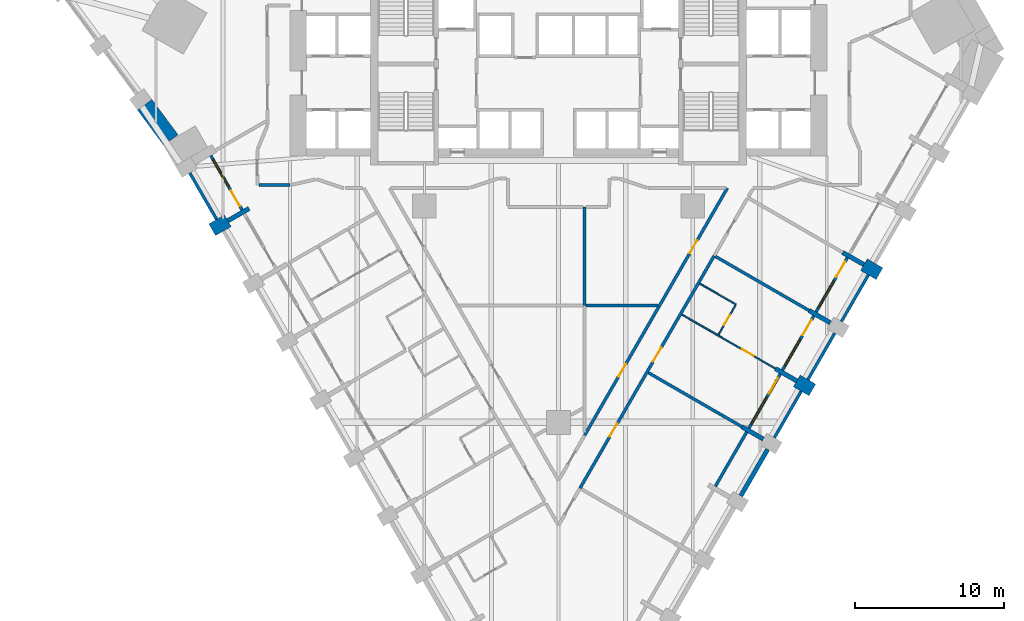
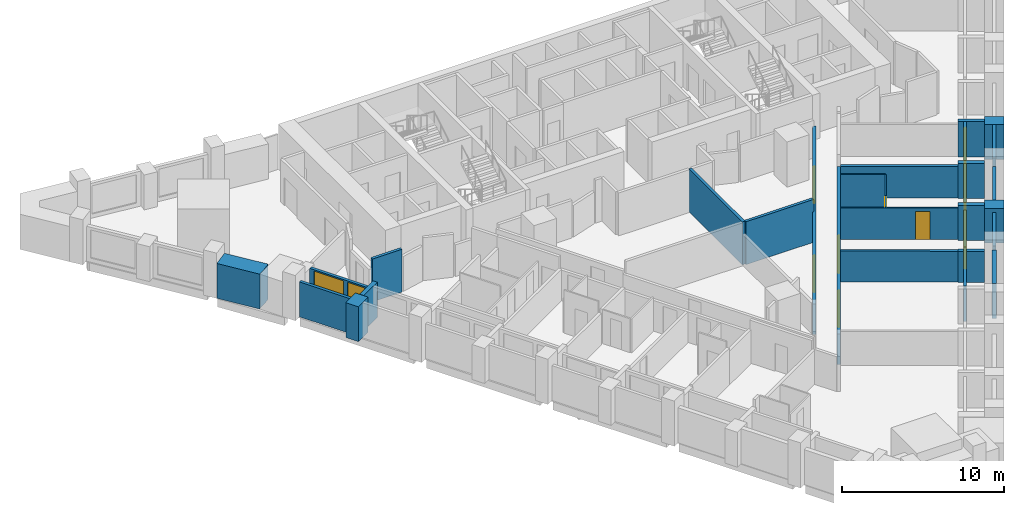
# One storey, part 5 of 11: 29 walls, 10 doors, 4 windows, 14 openings.
"""IFC4 building model written with IfcOpenShell, lengths in metres."""

from ifc_helpers import new_model, si_unit, direction, frame, frame_2d, origin, place, context, subcontext, project, spatial, polyline, rectangle, outline, extrude, material, layer, layer_set, type_object, element, fill, save


model = new_model("IFC4")

# Units and contexts
model_context = context("Model", 3, precision=1e-05, world=origin(), true_north=direction((0.0, 1.0)))
body_context = subcontext(model_context, "Body", "Model", "MODEL_VIEW")
ifc_project = project(units=[si_unit("LENGTHUNIT", "METRE"), si_unit("AREAUNIT", "SQUARE_METRE"), si_unit("VOLUMEUNIT", "CUBIC_METRE"), si_unit("PLANEANGLEUNIT", "RADIAN"), si_unit("MASSUNIT", "GRAM", prefix="KILO")], contexts=[model_context])

# Site, building, storey
site_placement = place(None, origin())
site = spatial("IfcSite", under=ifc_project, at=site_placement, CompositionType="ELEMENT")
building_placement = place(site_placement, origin())
building = spatial("IfcBuilding", under=site, at=building_placement, Name="Calabash Gate Tower", CompositionType="ELEMENT")
storey_placement = place(building_placement, frame((0.0, 0.0, 49.39990234375)))
storey = spatial("IfcBuildingStorey", under=building, at=storey_placement, Name="L07", CompositionType="ELEMENT", Elevation=49.39990234375)

# Walls
ifc_material_1 = material(Name="Terracotta brick masonry, exposed face", Category="masonry")
ifc_layer_1 = layer(ifc_material_1, 1.199951171875)
ifc_layer_set_1 = layer_set([ifc_layer_1], Name="Brick end wall 1200")
wall_type_1 = type_object("IfcWallType", Name="Brick end wall 1200", PredefinedType="SOLIDWALL", material=ifc_layer_set_1)
wall_1_placement = place(storey_placement, frame((-23.2197265625, 0.912353515625, 0.0), z_axis=(0.0, 0.0, 1.0), x_axis=(0.866006032174, 0.500033551112, 0.0)))
element("IfcWall", 1, at=wall_1_placement, inside=storey, type_object=wall_type_1, Name="Brick pier S01 SW0.1", PredefinedType="SOLIDWALL", context=body_context, shape_type="SweptSolid", body=[
    extrude(rectangle(XDim=1.2001953125, YDim=0.89990234375, at=frame_2d((0.60009765625, 0.0))), origin(), (0.0, 0.0, 1.0), 2.630126953125),
])
for number, where, z_axis, x_axis, name in (
    (2, (17.01953125, -9.826171875, 0.0), (0.0, 0.0, 1.0), (-0.866043267704, 0.499969057507, 0.0), "Brick pier S01 SE2.5"),
    (3, (21.51953125, -2.031982421875, 0.0), (0.0, 0.0, 1.0), (-0.866043267704, 0.499969057507, 0.0), "Brick pier S01 SE2.7"),
):
    element("IfcWall", number, at=place(storey_placement, frame(where, z_axis=z_axis, x_axis=x_axis)), inside=storey, type_object=wall_type_1, Name=name, PredefinedType="SOLIDWALL", context=body_context, shape_type="SweptSolid", body=[
        extrude(rectangle(XDim=1.19970703125, YDim=0.89990234375, at=frame_2d((0.599853515625, 0.0))), origin(), (0.0, 0.0, 1.0), 2.630126953125),
    ])
wall_2_placement = place(storey_placement, origin())
element("IfcWall", 4, at=wall_2_placement, inside=storey, type_object=wall_type_1, Name="Brick end wall S01 3", PredefinedType="SOLIDWALL", context=body_context, shape_type="SweptSolid", body=[
    extrude(outline(polyline([(-25.517822265625, 7.285400390625), (-27.267578125, 9.64697265625), (-27.26806640625, 9.646728515625), (-27.26806640625, 9.646484375), (-28.231689453125, 8.9326171875), (-26.50244140625, 6.5986328125), (-26.51953125, 6.628173828125), (-26.0, 6.92822265625), (-25.517822265625, 7.285400390625)])), origin(), (0.0, 0.0, 1.0), 2.630126953125),
])
ifc_material_2 = material(Name="Terracotta brick masonry, exposed face", Category="masonry")
ifc_layer_2 = layer(ifc_material_2, 0.300048828125)
ifc_layer_set_2 = layer_set([ifc_layer_2], Name="Brick infill panel wall 300")
wall_type_2 = type_object("IfcWallType", Name="Brick infill panel wall 300", PredefinedType="SOLIDWALL", material=ifc_layer_set_2)
wall_3_placement = place(storey_placement, frame((12.22509765625, -16.930908203125, 0.0), z_axis=(0.0, 0.0, 1.0), x_axis=(0.499931829785, 0.866064758299, 0.0)))
element("IfcWall", 5, at=wall_3_placement, inside=storey, type_object=wall_type_2, Name="Brick panel S01 SE2.4", PredefinedType="SOLIDWALL", context=body_context, shape_type="SweptSolid", body=[
    extrude(rectangle(XDim=3.60009765625, YDim=0.300048828125, at=frame_2d((1.800048828125, 0.0))), origin(), (0.0, 0.0, 1.0), 2.630126953125),
])
ifc_material_3 = material(Name="Terracotta brick masonry, exposed face", Category="masonry")
ifc_layer_3 = layer(ifc_material_3, 0.300048828125)
ifc_layer_set_3 = layer_set([ifc_layer_3], Name="Brick loggia cheek wall 300")
wall_type_3 = type_object("IfcWallType", Name="Brick loggia cheek wall 300", PredefinedType="SOLIDWALL", material=ifc_layer_set_3)
wall_4_placement = place(storey_placement, frame((-22.180419921875, 1.512451171875, 0.0), z_axis=(0.0, 0.0, 1.0), x_axis=(0.866040211805, 0.499974350878, 0.0)))
element("IfcWall", 6, at=wall_4_placement, inside=storey, type_object=wall_type_3, Name="Loggia cheek S01 SW0.1", PredefinedType="SOLIDWALL", context=body_context, shape_type="SweptSolid", body=[
    extrude(rectangle(XDim=1.64990234375, YDim=0.300048828125, at=frame_2d((0.824951171875, 0.0))), origin(), (0.0, 0.0, 1.0), 2.650146484375),
])
wall_5_placement = place(storey_placement, frame((13.730224609375, -13.123291015625, 0.0), z_axis=(0.0, 0.0, 1.0), x_axis=(-0.866003217194, 0.500038426333, 0.0)))
element("IfcWall", 7, at=wall_5_placement, inside=storey, type_object=wall_type_3, Name="Loggia cheek S01 SE2.4", PredefinedType="SOLIDWALL", context=body_context, shape_type="SweptSolid", body=[
    extrude(rectangle(XDim=1.649658203125, YDim=0.300048828125, at=frame_2d((0.82470703125, 0.0))), origin(), (0.0, 0.0, 1.0), 2.302490234375),
])
wall_6_placement = place(storey_placement, frame((15.98046875, -9.226318359375, 0.0), z_axis=(0.0, 0.0, 1.0), x_axis=(-0.866040211805, 0.499974350878, 0.0)))
element("IfcWall", 8, at=wall_6_placement, inside=storey, type_object=wall_type_3, Name="Loggia cheek S01 SE2.5", PredefinedType="SOLIDWALL", context=body_context, shape_type="SweptSolid", body=[
    extrude(rectangle(XDim=1.64990234375, YDim=0.300048828125, at=frame_2d((0.824951171875, 0.0))), origin(), (0.0, 0.0, 1.0), 2.650146484375),
])
wall_7_placement = place(storey_placement, frame((18.230224609375, -5.3291015625, 0.0), z_axis=(0.0, 0.0, 1.0), x_axis=(-0.866003217194, 0.500038426333, 0.0)))
element("IfcWall", 9, at=wall_7_placement, inside=storey, type_object=wall_type_3, Name="Loggia cheek S01 SE2.6", PredefinedType="SOLIDWALL", context=body_context, shape_type="SweptSolid", body=[
    extrude(rectangle(XDim=1.649658203125, YDim=0.300048828125, at=frame_2d((0.82470703125, 0.0))), origin(), (0.0, 0.0, 1.0), 2.650146484375),
])
wall_8_placement = place(storey_placement, frame((20.48046875, -1.43212890625, 0.0), z_axis=(0.0, 0.0, 1.0), x_axis=(-0.865976140824, 0.500085316245, 0.0)))
element("IfcWall", 10, at=wall_8_placement, inside=storey, type_object=wall_type_3, Name="Loggia cheek S01 SE2.7", PredefinedType="SOLIDWALL", context=body_context, shape_type="SweptSolid", body=[
    extrude(rectangle(XDim=1.650146484375, YDim=0.300048828125, at=frame_2d((0.8251953125, 0.0))), origin(), (0.0, 0.0, 1.0), 2.650146484375),
])

# Wall, opening, door
ifc_material_4 = material(Name="Gypsum board on steel studs, mineral wool", Category="steel")
ifc_layer_4 = layer(ifc_material_4, 0.10009765625)
ifc_layer_set_4 = layer_set([ifc_layer_4], Name="Partition 100 gypsum board")
wall_type_4 = type_object("IfcWallType", Name="Partition 100 gypsum board", PredefinedType="PARTITIONING", material=ifc_layer_set_4)
wall_9_placement = place(storey_placement, frame((10.72216796875, -6.13037109375, 0.0), z_axis=(0.0, 0.0, 1.0), x_axis=(0.500617411337, 0.865668647617, 0.0)))
wall_9 = element("IfcWall", 11, at=wall_9_placement, inside=storey, type_object=wall_type_4, Name="Partition", PredefinedType="PARTITIONING", context=body_context, shape_type="SweptSolid", body=[
    extrude(rectangle(XDim=2.2978515625, YDim=0.10009765625, at=frame_2d((1.14892578125, 0.0))), origin(), (0.0, 0.0, 1.0), 3.22998046875),
])
opening_1_placement = place(wall_9_placement, frame((0.748046875, 0.0, 0.0)))
opening_1 = element("IfcOpeningElement", 12, at=opening_1_placement, cuts=wall_9, Name="Opening 06-08-012", PredefinedType="OPENING", context=body_context, shape_type="SweptSolid", body=[
    extrude(rectangle(XDim=0.800048828125, YDim=2.10009765625, at=frame_2d((0.39990234375, 1.050048828125))), frame((0.0, 0.06005859375, 0.0), z_axis=(0.0, -1.0, 0.0), x_axis=(1.0, 0.0, 0.0)), (0.0, 0.0, 1.0), 0.1201171875),
])
ifc_material_5 = material(Name="Painted timber door", Category="wood")
door_type_1 = type_object("IfcDoorType", Name="GD5 En-suite door 800x2100", OperationType="NOTDEFINED", PredefinedType="DOOR", material=ifc_material_5)
door_1_placement = place(opening_1_placement, origin())
door_1 = element("IfcDoor", 13, at=door_1_placement, inside=storey, type_object=door_type_1, Name="En-suite door", OperationType="SINGLE_SWING_RIGHT", OverallHeight=2.10009765625, OverallWidth=0.800048828125, PredefinedType="DOOR", context=body_context, shape_type="SweptSolid", body=[
    extrude(rectangle(XDim=0.800048828125, YDim=2.10009765625, at=frame_2d((0.39990234375, 1.050048828125))), frame((0.0, 0.02490234375, 0.0), z_axis=(0.0, -1.0, 0.0), x_axis=(1.0, 0.0, 0.0)), (0.0, 0.0, 1.0), 0.050048828125),
])
fill(opening_1, door_1)

wall_10_placement = place(storey_placement, frame((8.27392578125, -4.774658203125, 0.0), z_axis=(0.0, 0.0, 1.0), x_axis=(0.866035857012, -0.499981894041, 0.0)))
wall_10 = element("IfcWall", 14, at=wall_10_placement, inside=storey, type_object=wall_type_4, Name="Partition", PredefinedType="PARTITIONING", context=body_context, shape_type="SweptSolid", body=[
    extrude(rectangle(XDim=7.249755859375, YDim=0.10009765625, at=frame_2d((3.625, 0.0))), origin(), (0.0, 0.0, 1.0), 2.38427734375),
])
opening_2_placement = place(wall_10_placement, frame((4.64990234375, 0.0, 0.0)))
opening_2 = element("IfcOpeningElement", 15, at=opening_2_placement, cuts=wall_10, Name="Opening 06-08-011", PredefinedType="OPENING", context=body_context, shape_type="SweptSolid", body=[
    extrude(rectangle(XDim=0.89990234375, YDim=2.10009765625, at=frame_2d((0.449951171875, 1.050048828125))), frame((0.0, 0.06005859375, 0.0), z_axis=(0.0, -1.0, 0.0), x_axis=(1.0, 0.0, 0.0)), (0.0, 0.0, 1.0), 0.1201171875),
])
ifc_material_6 = material(Name="Painted timber door", Category="wood")
door_type_2 = type_object("IfcDoorType", Name="GD7 Suite room door 900x2100", OperationType="NOTDEFINED", PredefinedType="DOOR", material=ifc_material_6)
door_2_placement = place(opening_2_placement, origin())
door_2 = element("IfcDoor", 16, at=door_2_placement, inside=storey, type_object=door_type_2, Name="Suite room door", OperationType="SINGLE_SWING_RIGHT", OverallHeight=2.10009765625, OverallWidth=0.89990234375, PredefinedType="DOOR", context=body_context, shape_type="SweptSolid", body=[
    extrude(rectangle(XDim=0.89990234375, YDim=2.10009765625, at=frame_2d((0.449951171875, 1.050048828125))), frame((0.0, 0.02490234375, 0.0), z_axis=(0.0, -1.0, 0.0), x_axis=(1.0, 0.0, 0.0)), (0.0, 0.0, 1.0), 0.050048828125),
])
fill(opening_2, door_2)

# Wall
wall_11_placement = place(storey_placement, frame((9.47216796875, -2.69921875, 0.0), z_axis=(0.0, 0.0, 1.0), x_axis=(0.866288634608, -0.499543793424, 0.0)))
element("IfcWall", 17, at=wall_11_placement, inside=storey, type_object=wall_type_4, Name="Partition", PredefinedType="PARTITIONING", context=body_context, shape_type="SweptSolid", body=[
    extrude(rectangle(XDim=2.7998046875, YDim=0.10009765625, at=frame_2d((1.39990234375, 0.0))), origin(), (0.0, 0.0, 1.0), 3.22998046875),
])

# Wall, openings, doors
ifc_material_7 = material(Name="Gypsum board on steel studs, mineral wool", Category="steel")
ifc_layer_5 = layer(ifc_material_7, 0.199951171875)
ifc_layer_set_5 = layer_set([ifc_layer_5], Name="Partition 200 gypsum board EI 60")
wall_type_5 = type_object("IfcWallType", Name="Partition 200 gypsum board EI 60", PredefinedType="PARTITIONING", material=ifc_layer_set_5)
wall_12_placement = place(storey_placement, frame((1.75, -12.8701171875, 0.0), z_axis=(0.0, 0.0, 1.0), x_axis=(0.499999309361, 0.866025802525, 0.0)))
wall_12 = element("IfcWall", 18, at=wall_12_placement, inside=storey, type_object=wall_type_5, Name="Partition", PredefinedType="PARTITIONING", context=body_context, shape_type="SweptSolid", body=[
    extrude(rectangle(XDim=19.13427734375, YDim=0.199951171875, at=frame_2d((9.567138671875, 0.0))), origin(), (0.0, 0.0, 1.0), 2.302490234375),
])
opening_3_placement = place(wall_12_placement, frame((14.097900390625, 0.0, 0.0)))
opening_3 = element("IfcOpeningElement", 19, at=opening_3_placement, cuts=wall_12, Name="Opening 06-08-015", PredefinedType="OPENING", context=body_context, shape_type="SweptSolid", body=[
    extrude(rectangle(XDim=1.0, YDim=2.10009765625, at=frame_2d((0.5, 1.050048828125))), frame((0.0, 0.10986328125, 0.0), z_axis=(0.0, -1.0, 0.0), x_axis=(1.0, 0.0, 0.0)), (0.0, 0.0, 1.0), 0.219970703125),
])
opening_4_placement = place(wall_12_placement, frame((4.530029296875, 0.0, 0.0)))
opening_4 = element("IfcOpeningElement", 20, at=opening_4_placement, cuts=wall_12, Name="Opening 06-08-016", PredefinedType="OPENING", context=body_context, shape_type="SweptSolid", body=[
    extrude(rectangle(XDim=1.0, YDim=2.10009765625, at=frame_2d((0.5, 1.050048828125))), frame((0.0, 0.10986328125, 0.0), z_axis=(0.0, -1.0, 0.0), x_axis=(1.0, 0.0, 0.0)), (0.0, 0.0, 1.0), 0.219970703125),
])
ifc_material_8 = material(Name="Steel fire door set with fire-resisting glazing", Category="steel")
door_type_3 = type_object("IfcDoorType", Name="LD2 Meeting room door 1000x2100", OperationType="NOTDEFINED", PredefinedType="DOOR", material=ifc_material_8)
door_3_placement = place(opening_3_placement, origin())
door_3 = element("IfcDoor", 21, at=door_3_placement, inside=storey, type_object=door_type_3, Name="Meeting room door", OperationType="SINGLE_SWING_RIGHT", OverallHeight=2.10009765625, OverallWidth=1.0, PredefinedType="DOOR", context=body_context, shape_type="SweptSolid", body=[
    extrude(rectangle(XDim=1.0, YDim=2.10009765625, at=frame_2d((0.5, 1.050048828125))), frame((0.0, 0.02490234375, 0.0), z_axis=(0.0, -1.0, 0.0), x_axis=(1.0, 0.0, 0.0)), (0.0, 0.0, 1.0), 0.050048828125),
])
fill(opening_3, door_3)
door_4_placement = place(opening_4_placement, origin())
door_4 = element("IfcDoor", 22, at=door_4_placement, inside=storey, type_object=door_type_3, Name="Meeting room door", OperationType="SINGLE_SWING_LEFT", OverallHeight=2.10009765625, OverallWidth=1.0, PredefinedType="DOOR", context=body_context, shape_type="SweptSolid", body=[
    extrude(rectangle(XDim=1.0, YDim=2.10009765625, at=frame_2d((0.5, 1.050048828125))), frame((0.0, 0.02490234375, 0.0), z_axis=(0.0, -1.0, 0.0), x_axis=(1.0, 0.0, 0.0)), (0.0, 0.0, 1.0), 0.050048828125),
])
fill(opening_4, door_4)

# Walls
wall_13_placement = place(storey_placement, frame((6.02392578125, -8.671875, 0.0), z_axis=(0.0, 0.0, 1.0), x_axis=(0.865914666804, -0.500191753045, 0.0)))
element("IfcWall", 23, at=wall_13_placement, inside=storey, type_object=wall_type_5, Name="Partition", PredefinedType="PARTITIONING", context=body_context, shape_type="SweptSolid", body=[
    extrude(rectangle(XDim=7.249755859375, YDim=0.199951171875, at=frame_2d((3.625, 0.0))), origin(), (0.0, 0.0, 1.0), 2.302490234375),
])
wall_14_placement = place(storey_placement, frame((1.85009765625, -4.156005859375, 0.0), z_axis=(0.0, 0.0, 1.0), x_axis=(0.999999937456, -0.000353678232, 0.0)))
element("IfcWall", 24, at=wall_14_placement, inside=storey, type_object=wall_type_5, Name="Partition", PredefinedType="PARTITIONING", context=body_context, shape_type="SweptSolid", body=[
    extrude(rectangle(XDim=4.83203125, YDim=0.199951171875, at=frame_2d((2.416015625, 0.0))), origin(), (0.0, 0.0, 1.0), 3.22998046875),
])
wall_15_placement = place(storey_placement, frame((10.525390625, -0.87841796875, 0.0), z_axis=(0.0, 0.0, 1.0), x_axis=(0.865907869998, -0.500203519255, 0.0)))
element("IfcWall", 25, at=wall_15_placement, inside=storey, type_object=wall_type_5, Name="Partition", PredefinedType="PARTITIONING", context=body_context, shape_type="SweptSolid", body=[
    extrude(rectangle(XDim=7.248046875, YDim=0.199951171875, at=frame_2d((3.6240234375, 0.0))), origin(), (0.0, 0.0, 1.0), 2.38427734375),
])

# Wall, openings, doors
wall_16_placement = place(storey_placement, frame((1.43798828125, -16.418701171875, 0.0), z_axis=(0.0, 0.0, 1.0), x_axis=(0.499996012009, 0.86602770624, 0.0)))
wall_16 = element("IfcWall", 26, at=wall_16_placement, inside=storey, type_object=wall_type_5, Name="Partition", PredefinedType="PARTITIONING", context=body_context, shape_type="SweptSolid", body=[
    extrude(rectangle(XDim=18.000244140625, YDim=0.199951171875, at=frame_2d((9.0, 0.0))), origin(), (0.0, 0.0, 1.0), 2.302490234375),
])
opening_5_placement = place(wall_16_placement, frame((4.0, 0.0, 0.0)))
opening_5 = element("IfcOpeningElement", 27, at=opening_5_placement, cuts=wall_16, Name="Opening 06-08-009", PredefinedType="OPENING", context=body_context, shape_type="SweptSolid", body=[
    extrude(rectangle(XDim=1.0, YDim=2.10009765625, at=frame_2d((0.5, 1.050048828125))), frame((0.0, 0.10986328125, 0.0), z_axis=(0.0, -1.0, 0.0), x_axis=(1.0, 0.0, 0.0)), (0.0, 0.0, 1.0), 0.219970703125),
])
opening_6_placement = place(wall_16_placement, frame((9.800048828125, 0.0, 0.0)))
opening_6 = element("IfcOpeningElement", 28, at=opening_6_placement, cuts=wall_16, Name="Opening 06-08-010", PredefinedType="OPENING", context=body_context, shape_type="SweptSolid", body=[
    extrude(rectangle(XDim=1.10009765625, YDim=2.10009765625, at=frame_2d((0.550048828125, 1.050048828125))), frame((0.0, 0.10986328125, 0.0), z_axis=(0.0, -1.0, 0.0), x_axis=(1.0, 0.0, 0.0)), (0.0, 0.0, 1.0), 0.219970703125),
])
ifc_material_9 = material(Name="Steel fire door set with fire-resisting glazing", Category="steel")
door_type_4 = type_object("IfcDoorType", Name="GD3 Suite entrance door 1100x2100", OperationType="NOTDEFINED", PredefinedType="DOOR", material=ifc_material_9)
door_5_placement = place(opening_6_placement, origin())
door_5 = element("IfcDoor", 29, at=door_5_placement, inside=storey, type_object=door_type_4, Name="Suite entrance door", OperationType="SINGLE_SWING_RIGHT", OverallHeight=2.10009765625, OverallWidth=1.10009765625, PredefinedType="DOOR", context=body_context, shape_type="SweptSolid", body=[
    extrude(rectangle(XDim=1.10009765625, YDim=2.10009765625, at=frame_2d((0.550048828125, 1.050048828125))), frame((0.0, 0.02490234375, 0.0), z_axis=(0.0, -1.0, 0.0), x_axis=(1.0, 0.0, 0.0)), (0.0, 0.0, 1.0), 0.050048828125),
])
fill(opening_6, door_5)
door_6_placement = place(opening_5_placement, origin())
door_6 = element("IfcDoor", 30, at=door_6_placement, inside=storey, type_object=door_type_3, Name="Meeting room door", OperationType="SINGLE_SWING_RIGHT", OverallHeight=2.10009765625, OverallWidth=1.0, PredefinedType="DOOR", context=body_context, shape_type="SweptSolid", body=[
    extrude(rectangle(XDim=1.0, YDim=2.10009765625, at=frame_2d((0.5, 1.050048828125))), frame((0.0, 0.02490234375, 0.0), z_axis=(0.0, -1.0, 0.0), x_axis=(1.0, 0.0, 0.0)), (0.0, 0.0, 1.0), 0.050048828125),
])
fill(opening_5, door_6)

# Walls
wall_17_placement = place(storey_placement, frame((1.750244140625, -4.15576171875, 0.0), z_axis=(0.0, 0.0, 1.0), x_axis=(0.000258617496, 0.999999966558, 0.0)))
element("IfcWall", 31, at=wall_17_placement, inside=storey, type_object=wall_type_5, Name="Partition", PredefinedType="PARTITIONING", context=body_context, shape_type="SweptSolid", body=[
    extrude(rectangle(XDim=6.608154296875, YDim=0.199951171875, at=frame_2d((3.30419921875, 0.0))), origin(), (0.0, 0.0, 1.0), 3.22998046875),
])
wall_18_placement = place(storey_placement, frame((-20.10009765625, 3.899658203125, 0.0), z_axis=(0.0, 0.0, 1.0), x_axis=(0.999999993243, -0.000116252034, 0.0)))
element("IfcWall", 32, at=wall_18_placement, inside=storey, type_object=wall_type_5, Name="Partition", PredefinedType="PARTITIONING", context=body_context, shape_type="SweptSolid", body=[
    extrude(rectangle(XDim=2.10009765625, YDim=0.199951171875, at=frame_2d((1.050048828125, 0.0))), origin(), (0.0, 0.0, 1.0), 3.22998046875),
])
ifc_material_10 = material(Name="Terracotta brick masonry, perforated", Category="masonry")
ifc_layer_6 = layer(ifc_material_10, 0.199951171875)
ifc_layer_set_6 = layer_set([ifc_layer_6], Name="Terracotta jaali screen A")
wall_type_6 = type_object("IfcWallType", Name="Terracotta jaali screen A", PredefinedType="SOLIDWALL", material=ifc_layer_set_6)
wall_19_placement = place(storey_placement, frame((-24.72509765625, 4.7197265625, 0.0), z_axis=(0.0, 0.0, 1.0), x_axis=(0.500012057535, -0.866018442252, 0.0)))
element("IfcWall", 33, at=wall_19_placement, inside=storey, type_object=wall_type_6, Name="SCREEN A S01 SW0.1", PredefinedType="SOLIDWALL", context=body_context, shape_type="SweptSolid", body=[
    extrude(rectangle(XDim=3.60009765625, YDim=0.199951171875, at=frame_2d((1.800048828125, 0.0))), origin(), (0.0, 0.0, 1.0), 2.630126953125),
])
wall_20_placement = place(storey_placement, frame((14.47509765625, -13.03369140625, 0.0), z_axis=(0.0, 0.0, 1.0), x_axis=(0.499961193289, 0.866047807691, 0.0)))
element("IfcWall", 34, at=wall_20_placement, inside=storey, type_object=wall_type_6, Name="SCREEN A S01 SE2.5", PredefinedType="SOLIDWALL", context=body_context, shape_type="SweptSolid", body=[
    extrude(rectangle(XDim=3.599853515625, YDim=0.199951171875, at=frame_2d((1.7998046875, 0.0))), origin(), (0.0, 0.0, 1.0), 2.302490234375),
])
for number, where, z_axis, x_axis, name in (
    (35, (16.72509765625, -9.136474609375, 0.0), (0.0, 0.0, 1.0), (0.499961193289, 0.866047807691, 0.0), "SCREEN A S01 SE2.6"),
    (36, (18.97509765625, -5.239501953125, 0.0), (0.0, 0.0, 1.0), (0.499961193289, 0.866047807691, 0.0), "SCREEN A S01 SE2.7"),
):
    element("IfcWall", number, at=place(storey_placement, frame(where, z_axis=z_axis, x_axis=x_axis)), inside=storey, type_object=wall_type_6, Name=name, PredefinedType="SOLIDWALL", context=body_context, shape_type="SweptSolid", body=[
        extrude(rectangle(XDim=3.599853515625, YDim=0.199951171875, at=frame_2d((1.7998046875, 0.0))), origin(), (0.0, 0.0, 1.0), 2.630126953125),
    ])

# Wall, openings, door, window
ifc_material_11 = material(Name="Aluminium framed window wall with insulated spandrel", Category="aluminium")
ifc_layer_7 = layer(ifc_material_11, 0.199951171875)
ifc_layer_set_7 = layer_set([ifc_layer_7], Name="Window wall 200")
wall_type_7 = type_object("IfcWallType", Name="Window wall 200", PredefinedType="ELEMENTEDWALL", material=ifc_layer_set_7)
wall_21_placement = place(storey_placement, frame((-23.316162109375, 5.879638671875, 0.0), z_axis=(0.0, 0.0, 1.0), x_axis=(0.500027713859, -0.866009402589, 0.0)))
wall_21 = element("IfcWall", 37, at=wall_21_placement, inside=storey, type_object=wall_type_7, Name="Window wall S01 SW0.1", PredefinedType="ELEMENTEDWALL", context=body_context, shape_type="SweptSolid", body=[
    extrude(rectangle(XDim=4.199951171875, YDim=0.199951171875, at=frame_2d((2.10009765625, 0.0))), origin(), (0.0, 0.0, 1.0), 2.4501953125),
])
opening_7_placement = place(wall_21_placement, frame((0.300048828125, 0.0, 0.60009765625)))
opening_7 = element("IfcOpeningElement", 38, at=opening_7_placement, cuts=wall_21, Name="Opening HW1L-1750", PredefinedType="OPENING", context=body_context, shape_type="SweptSolid", body=[
    extrude(rectangle(XDim=2.10009765625, YDim=1.75, at=frame_2d((1.050048828125, 0.875))), frame((0.0, 0.10986328125, 0.0), z_axis=(0.0, -1.0, 0.0), x_axis=(1.0, 0.0, 0.0)), (0.0, 0.0, 1.0), 0.219970703125),
])
opening_8_placement = place(wall_21_placement, frame((2.699951171875, 0.0, 0.0)))
opening_8 = element("IfcOpeningElement", 39, at=opening_8_placement, cuts=wall_21, Name="Opening H1-025", PredefinedType="OPENING", context=body_context, shape_type="SweptSolid", body=[
    extrude(rectangle(XDim=1.199951171875, YDim=2.35009765625, at=frame_2d((0.60009765625, 1.175048828125))), frame((0.0, 0.10986328125, 0.0), z_axis=(0.0, -1.0, 0.0), x_axis=(1.0, 0.0, 0.0)), (0.0, 0.0, 1.0), 0.219970703125),
])
ifc_material_12 = material(Name="Anodised aluminium frame, bronze finish, impact-rated laminated clear glazing", Category="aluminium")
door_type_5 = type_object("IfcDoorType", Name="Loggia door DH1L-2350 1200x2350", OperationType="SLIDING_TO_LEFT", PredefinedType="DOOR", material=ifc_material_12)
door_7_placement = place(opening_8_placement, origin())
door_7 = element("IfcDoor", 40, at=door_7_placement, inside=storey, type_object=door_type_5, Name="Loggia door S01 SW0.1", OperationType="SINGLE_SWING_LEFT", OverallHeight=2.35009765625, OverallWidth=1.199951171875, PredefinedType="DOOR", context=body_context, shape_type="SweptSolid", body=[
    extrude(rectangle(XDim=1.199951171875, YDim=2.35009765625, at=frame_2d((0.60009765625, 1.175048828125))), frame((0.0, 0.02490234375, 0.0), z_axis=(0.0, -1.0, 0.0), x_axis=(1.0, 0.0, 0.0)), (0.0, 0.0, 1.0), 0.050048828125),
])
fill(opening_8, door_7)
ifc_material_13 = material(Name="Anodised aluminium frame, bronze finish, impact-rated laminated clear glazing", Category="aluminium")
window_type_1 = type_object("IfcWindowType", Name="Window HW1L 2100x1750", PartitioningType="DOUBLE_PANEL_VERTICAL", PredefinedType="WINDOW", material=ifc_material_13)
window_1_placement = place(opening_7_placement, origin())
window_1 = element("IfcWindow", 41, at=window_1_placement, inside=storey, type_object=window_type_1, Name="Window HW1 S01 SW0.1", OverallHeight=1.75, OverallWidth=2.10009765625, PartitioningType="SINGLE_PANEL", PredefinedType="WINDOW", context=body_context, shape_type="SweptSolid", body=[
    extrude(rectangle(XDim=2.10009765625, YDim=1.75, at=frame_2d((1.050048828125, 0.875))), frame((0.0, 0.030029296875, 0.0), z_axis=(0.0, -1.0, 0.0), x_axis=(1.0, 0.0, 0.0)), (0.0, 0.0, 1.0), 0.06005859375),
])
fill(opening_7, window_1)

# Wall
wall_22_placement = place(storey_placement, frame((10.51611328125, -16.29052734375, 0.0), z_axis=(0.0, 0.0, 1.0), x_axis=(0.500027713859, 0.866009402589, 0.0)))
element("IfcWall", 42, at=wall_22_placement, inside=storey, type_object=wall_type_7, Name="Window wall S01 SE2.4", PredefinedType="ELEMENTEDWALL", context=body_context, shape_type="SweptSolid", body=[
    extrude(rectangle(XDim=4.199951171875, YDim=0.199951171875, at=frame_2d((2.10009765625, 0.0))), origin(), (0.0, 0.0, 1.0), 2.650146484375),
])

# Wall, openings, door, window
wall_23_placement = place(storey_placement, frame((12.76611328125, -12.3935546875, 0.0), z_axis=(0.0, 0.0, 1.0), x_axis=(0.500002543286, 0.866023935413, 0.0)))
wall_23 = element("IfcWall", 43, at=wall_23_placement, inside=storey, type_object=wall_type_7, Name="Window wall S01 SE2.5", PredefinedType="ELEMENTEDWALL", context=body_context, shape_type="SweptSolid", body=[
    extrude(rectangle(XDim=4.2001953125, YDim=0.199951171875, at=frame_2d((2.10009765625, 0.0))), origin(), (0.0, 0.0, 1.0), 2.302490234375),
])
opening_9_placement = place(wall_23_placement, frame((0.300048828125, 0.0, 0.60009765625)))
opening_9 = element("IfcOpeningElement", 44, at=opening_9_placement, cuts=wall_23, Name="Opening HW1L-1600", PredefinedType="OPENING", context=body_context, shape_type="SweptSolid", body=[
    extrude(rectangle(XDim=2.10009765625, YDim=1.60009765625, at=frame_2d((1.050048828125, 0.800048828125))), frame((0.0, 0.10986328125, 0.0), z_axis=(0.0, -1.0, 0.0), x_axis=(1.0, 0.0, 0.0)), (0.0, 0.0, 1.0), 0.219970703125),
])
opening_10_placement = place(wall_23_placement, frame((2.699951171875, 0.0, 0.0)))
opening_10 = element("IfcOpeningElement", 45, at=opening_10_placement, cuts=wall_23, Name="Opening H1-019", PredefinedType="OPENING", context=body_context, shape_type="SweptSolid", body=[
    extrude(rectangle(XDim=1.199951171875, YDim=2.199951171875, at=frame_2d((0.60009765625, 1.10009765625))), frame((0.0, 0.10986328125, 0.0), z_axis=(0.0, -1.0, 0.0), x_axis=(1.0, 0.0, 0.0)), (0.0, 0.0, 1.0), 0.219970703125),
])
ifc_material_14 = material(Name="Anodised aluminium frame, bronze finish, impact-rated laminated clear glazing", Category="aluminium")
door_type_6 = type_object("IfcDoorType", Name="Loggia door DH1L-2200 1200x2200", OperationType="SLIDING_TO_LEFT", PredefinedType="DOOR", material=ifc_material_14)
door_8_placement = place(opening_10_placement, origin())
door_8 = element("IfcDoor", 46, at=door_8_placement, inside=storey, type_object=door_type_6, Name="Loggia door S01 SE2.5", OperationType="SINGLE_SWING_LEFT", OverallHeight=2.199951171875, OverallWidth=1.199951171875, PredefinedType="DOOR", context=body_context, shape_type="SweptSolid", body=[
    extrude(rectangle(XDim=1.199951171875, YDim=2.199951171875, at=frame_2d((0.60009765625, 1.10009765625))), frame((0.0, 0.02490234375, 0.0), z_axis=(0.0, -1.0, 0.0), x_axis=(1.0, 0.0, 0.0)), (0.0, 0.0, 1.0), 0.050048828125),
])
fill(opening_10, door_8)
ifc_material_15 = material(Name="Anodised aluminium frame, bronze finish, impact-rated laminated clear glazing", Category="aluminium")
window_type_2 = type_object("IfcWindowType", Name="Window HW1L 2100x1600", PartitioningType="DOUBLE_PANEL_VERTICAL", PredefinedType="WINDOW", material=ifc_material_15)
window_2_placement = place(opening_9_placement, origin())
window_2 = element("IfcWindow", 47, at=window_2_placement, inside=storey, type_object=window_type_2, Name="Window HW1 S01 SE2.5", OverallHeight=1.60009765625, OverallWidth=2.10009765625, PartitioningType="SINGLE_PANEL", PredefinedType="WINDOW", context=body_context, shape_type="SweptSolid", body=[
    extrude(rectangle(XDim=2.10009765625, YDim=1.60009765625, at=frame_2d((1.050048828125, 0.800048828125))), frame((0.0, 0.030029296875, 0.0), z_axis=(0.0, -1.0, 0.0), x_axis=(1.0, 0.0, 0.0)), (0.0, 0.0, 1.0), 0.06005859375),
])
fill(opening_9, window_2)

wall_24_placement = place(storey_placement, frame((15.01611328125, -8.496337890625, 0.0), z_axis=(0.0, 0.0, 1.0), x_axis=(0.500027713859, 0.866009402589, 0.0)))
wall_24 = element("IfcWall", 48, at=wall_24_placement, inside=storey, type_object=wall_type_7, Name="Window wall S01 SE2.6", PredefinedType="ELEMENTEDWALL", context=body_context, shape_type="SweptSolid", body=[
    extrude(rectangle(XDim=4.199951171875, YDim=0.199951171875, at=frame_2d((2.10009765625, 0.0))), origin(), (0.0, 0.0, 1.0), 2.650146484375),
])
opening_11_placement = place(wall_24_placement, frame((0.300048828125, 0.0, 0.60009765625)))
opening_11 = element("IfcOpeningElement", 49, at=opening_11_placement, cuts=wall_24, Name="Opening HW1", PredefinedType="OPENING", context=body_context, shape_type="SweptSolid", body=[
    extrude(rectangle(XDim=2.10009765625, YDim=1.800048828125, at=frame_2d((1.050048828125, 0.89990234375))), frame((0.0, 0.10986328125, 0.0), z_axis=(0.0, -1.0, 0.0), x_axis=(1.0, 0.0, 0.0)), (0.0, 0.0, 1.0), 0.219970703125),
])
opening_12_placement = place(wall_24_placement, frame((2.699951171875, 0.0, 0.0)))
opening_12 = element("IfcOpeningElement", 50, at=opening_12_placement, cuts=wall_24, Name="Opening H1-020", PredefinedType="OPENING", context=body_context, shape_type="SweptSolid", body=[
    extrude(rectangle(XDim=1.199951171875, YDim=2.39990234375, at=frame_2d((0.60009765625, 1.199951171875))), frame((0.0, 0.10986328125, 0.0), z_axis=(0.0, -1.0, 0.0), x_axis=(1.0, 0.0, 0.0)), (0.0, 0.0, 1.0), 0.219970703125),
])
ifc_material_16 = material(Name="Anodised aluminium frame, bronze finish, impact-rated laminated clear glazing", Category="aluminium")
door_type_7 = type_object("IfcDoorType", Name="Loggia door DH1 1200x2400", OperationType="SLIDING_TO_LEFT", PredefinedType="DOOR", material=ifc_material_16)
door_9_placement = place(opening_12_placement, origin())
door_9 = element("IfcDoor", 51, at=door_9_placement, inside=storey, type_object=door_type_7, Name="Loggia door S01 SE2.6", OperationType="SINGLE_SWING_LEFT", OverallHeight=2.39990234375, OverallWidth=1.199951171875, PredefinedType="DOOR", context=body_context, shape_type="SweptSolid", body=[
    extrude(rectangle(XDim=1.199951171875, YDim=2.39990234375, at=frame_2d((0.60009765625, 1.199951171875))), frame((0.0, 0.02490234375, 0.0), z_axis=(0.0, -1.0, 0.0), x_axis=(1.0, 0.0, 0.0)), (0.0, 0.0, 1.0), 0.050048828125),
])
fill(opening_12, door_9)
ifc_material_17 = material(Name="Anodised aluminium frame, bronze finish, impact-rated laminated clear glazing", Category="aluminium")
window_type_3 = type_object("IfcWindowType", Name="Window HW1 2100x1800", PartitioningType="DOUBLE_PANEL_VERTICAL", PredefinedType="WINDOW", material=ifc_material_17)
window_3_placement = place(opening_11_placement, origin())
window_3 = element("IfcWindow", 52, at=window_3_placement, inside=storey, type_object=window_type_3, Name="Window HW1 S01 SE2.6", OverallHeight=1.800048828125, OverallWidth=2.10009765625, PartitioningType="SINGLE_PANEL", PredefinedType="WINDOW", context=body_context, shape_type="SweptSolid", body=[
    extrude(rectangle(XDim=2.10009765625, YDim=1.800048828125, at=frame_2d((1.050048828125, 0.89990234375))), frame((0.0, 0.030029296875, 0.0), z_axis=(0.0, -1.0, 0.0), x_axis=(1.0, 0.0, 0.0)), (0.0, 0.0, 1.0), 0.06005859375),
])
fill(opening_11, window_3)

wall_25_placement = place(storey_placement, frame((17.26611328125, -4.599365234375, 0.0), z_axis=(0.0, 0.0, 1.0), x_axis=(0.500002543286, 0.866023935413, 0.0)))
wall_25 = element("IfcWall", 53, at=wall_25_placement, inside=storey, type_object=wall_type_7, Name="Window wall S01 SE2.7", PredefinedType="ELEMENTEDWALL", context=body_context, shape_type="SweptSolid", body=[
    extrude(rectangle(XDim=4.2001953125, YDim=0.199951171875, at=frame_2d((2.10009765625, 0.0))), origin(), (0.0, 0.0, 1.0), 2.650146484375),
])
opening_13_placement = place(wall_25_placement, frame((0.300048828125, 0.0, 0.60009765625)))
opening_13 = element("IfcOpeningElement", 54, at=opening_13_placement, cuts=wall_25, Name="Opening HW1", PredefinedType="OPENING", context=body_context, shape_type="SweptSolid", body=[
    extrude(rectangle(XDim=2.10009765625, YDim=1.800048828125, at=frame_2d((1.050048828125, 0.89990234375))), frame((0.0, 0.10986328125, 0.0), z_axis=(0.0, -1.0, 0.0), x_axis=(1.0, 0.0, 0.0)), (0.0, 0.0, 1.0), 0.219970703125),
])
opening_14_placement = place(wall_25_placement, frame((2.699951171875, 0.0, 0.0)))
opening_14 = element("IfcOpeningElement", 55, at=opening_14_placement, cuts=wall_25, Name="Opening H1-021", PredefinedType="OPENING", context=body_context, shape_type="SweptSolid", body=[
    extrude(rectangle(XDim=1.199951171875, YDim=2.39990234375, at=frame_2d((0.60009765625, 1.199951171875))), frame((0.0, 0.10986328125, 0.0), z_axis=(0.0, -1.0, 0.0), x_axis=(1.0, 0.0, 0.0)), (0.0, 0.0, 1.0), 0.219970703125),
])
door_10_placement = place(opening_14_placement, origin())
door_10 = element("IfcDoor", 56, at=door_10_placement, inside=storey, type_object=door_type_7, Name="Loggia door S01 SE2.7", OperationType="SINGLE_SWING_LEFT", OverallHeight=2.39990234375, OverallWidth=1.199951171875, PredefinedType="DOOR", context=body_context, shape_type="SweptSolid", body=[
    extrude(rectangle(XDim=1.199951171875, YDim=2.39990234375, at=frame_2d((0.60009765625, 1.199951171875))), frame((0.0, 0.02490234375, 0.0), z_axis=(0.0, -1.0, 0.0), x_axis=(1.0, 0.0, 0.0)), (0.0, 0.0, 1.0), 0.050048828125),
])
fill(opening_14, door_10)
window_4_placement = place(opening_13_placement, origin())
window_4 = element("IfcWindow", 57, at=window_4_placement, inside=storey, type_object=window_type_3, Name="Window HW1 S01 SE2.7", OverallHeight=1.800048828125, OverallWidth=2.10009765625, PartitioningType="SINGLE_PANEL", PredefinedType="WINDOW", context=body_context, shape_type="SweptSolid", body=[
    extrude(rectangle(XDim=2.10009765625, YDim=1.800048828125, at=frame_2d((1.050048828125, 0.89990234375))), frame((0.0, 0.030029296875, 0.0), z_axis=(0.0, -1.0, 0.0), x_axis=(1.0, 0.0, 0.0)), (0.0, 0.0, 1.0), 0.06005859375),
])
fill(opening_13, window_4)

save(model, "model.ifc")
